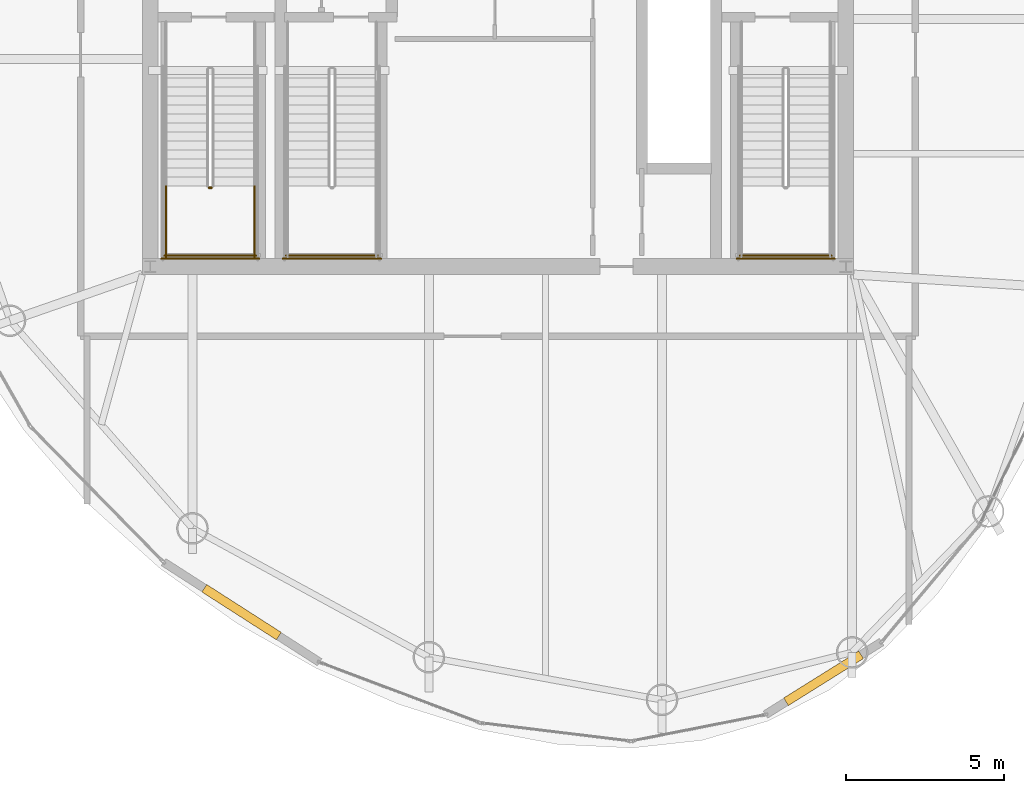
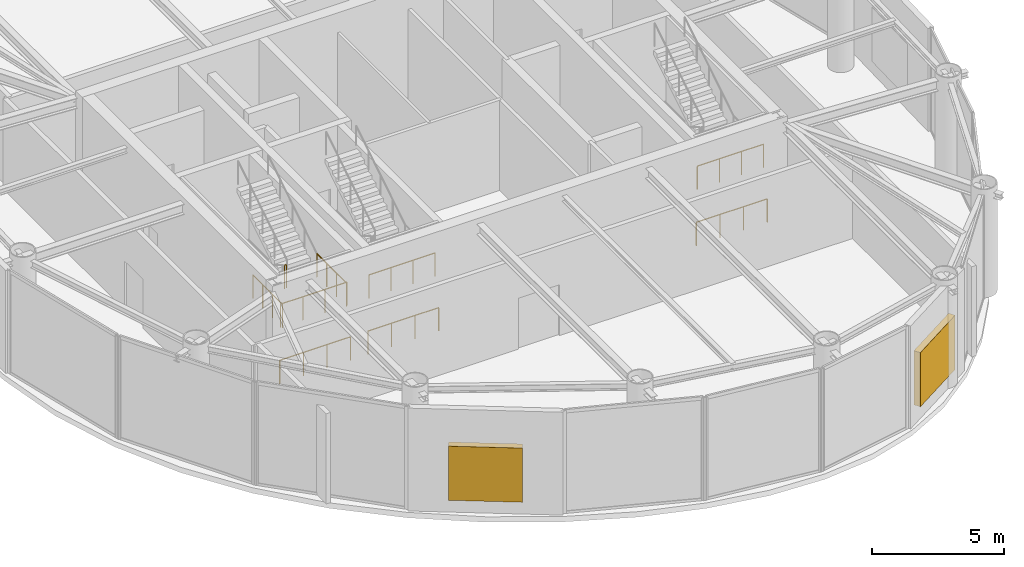
# One storey, part 20 of 23: 9 railings, 2 shading devices.
"""IFC4 building model written with IfcOpenShell, lengths in metres."""

from ifc_helpers import new_model, si_unit, direction, frame, origin, origin_2d, place, context, subcontext, project, spatial, rectangle, circle, extrude, material, type_object, element, save


model = new_model("IFC4")

# Units and contexts
model_context = context("Model", 3, precision=1e-05, world=origin(), true_north=direction((0.0, 1.0)))
body_context = subcontext(model_context, "Body", "Model", "MODEL_VIEW")
ifc_project = project(units=[si_unit("LENGTHUNIT", "METRE"), si_unit("AREAUNIT", "SQUARE_METRE"), si_unit("VOLUMEUNIT", "CUBIC_METRE"), si_unit("PLANEANGLEUNIT", "RADIAN"), si_unit("MASSUNIT", "GRAM", prefix="KILO")], contexts=[model_context])

# Site, building, storey
site_placement = place(None, origin())
site = spatial("IfcSite", under=ifc_project, at=site_placement, CompositionType="ELEMENT")
building_placement = place(site_placement, origin())
building = spatial("IfcBuilding", under=site, at=building_placement, Name="Bramvorn Convention Spire", CompositionType="ELEMENT")
storey_placement = place(building_placement, frame((0.0, 0.0, 307.5)))
storey = spatial("IfcBuildingStorey", under=building, at=storey_placement, Name="L78", CompositionType="ELEMENT", Elevation=307.5)

# Railings
ifc_material_1 = material(Name="Painted Steel Balustrade & Guardrail", Category="steel")
railing_type = type_object("IfcRailingType", Name="RL-STAIR-GUARD-1100", PredefinedType="GUARDRAIL", material=ifc_material_1)
railing_1_placement = place(storey_placement, frame((28.860107421875, 21.294921875, 2.5)))
element("IfcRailing", 1, at=railing_1_placement, inside=storey, type_object=railing_type, Name="L78 ST1 stair guard 2", PredefinedType="GUARDRAIL", context=body_context, shape_type="SweptSolid", body=[
    extrude(circle(Radius=0.02392578125, at=origin_2d()), frame((0.0, 0.0, 1.076171875), z_axis=(1.0, 0.0, 0.0), x_axis=(0.0, 1.0, 0.0)), (0.0, 0.0, 1.0), 0.079833984375),
    extrude(circle(Radius=0.02099609375, at=origin_2d()), origin(), (0.0, 0.0, 1.0), 1.052001953125),
    extrude(circle(Radius=0.02099609375, at=origin_2d()), frame((0.079833984375, 0.0, 0.0)), (0.0, 0.0, 1.0), 1.052001953125),
])
for number, where, name in (
    (2, (27.5, 21.344970703125, 2.5), "L78 ST1 stair guard 3"),
    (3, (30.300048828125, 21.344970703125, 2.5), "L78 ST1 stair guard 4"),
):
    element("IfcRailing", number, at=place(storey_placement, frame(where)), inside=storey, type_object=railing_type, Name=name, PredefinedType="GUARDRAIL", context=body_context, shape_type="SweptSolid", body=[
        extrude(circle(Radius=0.02392578125, at=origin_2d()), frame((0.0, 0.0, 1.076171875), z_axis=(0.0, -1.0, 0.0), x_axis=(1.0, 0.0, 0.0)), (0.0, 0.0, 1.0), 2.244873046875),
        extrude(circle(Radius=0.02099609375, at=origin_2d()), origin(), (0.0, 0.0, 1.0), 1.052001953125),
        extrude(circle(Radius=0.02099609375, at=origin_2d()), frame((0.0, -0.748291015625, 0.0)), (0.0, 0.0, 1.0), 1.052001953125),
        extrude(circle(Radius=0.02099609375, at=origin_2d()), frame((0.0, -1.49658203125, 0.0)), (0.0, 0.0, 1.0), 1.052001953125),
        extrude(circle(Radius=0.02099609375, at=origin_2d()), frame((0.0, -2.244873046875, 0.0)), (0.0, 0.0, 1.0), 1.052001953125),
    ])
railing_2_placement = place(storey_placement, frame((27.449951171875, 19.14990234375, 2.5)))
element("IfcRailing", 4, at=railing_2_placement, inside=storey, type_object=railing_type, Name="L78 ST1 stair guard 5", PredefinedType="GUARDRAIL", context=body_context, shape_type="SweptSolid", body=[
    extrude(circle(Radius=0.02392578125, at=origin_2d()), frame((0.0, 0.0, 1.076171875), z_axis=(1.0, 0.0, 0.0), x_axis=(0.0, 1.0, 0.0)), (0.0, 0.0, 1.0), 2.900146484375),
    extrude(circle(Radius=0.02099609375, at=origin_2d()), origin(), (0.0, 0.0, 1.0), 1.052001953125),
    extrude(circle(Radius=0.02099609375, at=origin_2d()), frame((0.966796875, 0.0, 0.0)), (0.0, 0.0, 1.0), 1.052001953125),
    extrude(circle(Radius=0.02099609375, at=origin_2d()), frame((1.933349609375, 0.0, 0.0)), (0.0, 0.0, 1.0), 1.052001953125),
    extrude(circle(Radius=0.02099609375, at=origin_2d()), frame((2.900146484375, 0.0, 0.0)), (0.0, 0.0, 1.0), 1.052001953125),
])
railing_3_placement = place(storey_placement, frame((27.35009765625, 19.050048828125, 0.0)))
element("IfcRailing", 5, at=railing_3_placement, inside=storey, type_object=railing_type, Name="L78 ST1 stair guard 12", PredefinedType="GUARDRAIL", context=body_context, shape_type="SweptSolid", body=[
    extrude(circle(Radius=0.02392578125, at=origin_2d()), frame((0.0, 0.0, 1.076171875), z_axis=(1.0, 0.0, 0.0), x_axis=(0.0, 1.0, 0.0)), (0.0, 0.0, 1.0), 3.099853515625),
    extrude(circle(Radius=0.02099609375, at=origin_2d()), origin(), (0.0, 0.0, 1.0), 1.052001953125),
    extrude(circle(Radius=0.02099609375, at=origin_2d()), frame((1.033203125, 0.0, 0.0)), (0.0, 0.0, 1.0), 1.052001953125),
    extrude(circle(Radius=0.02099609375, at=origin_2d()), frame((2.066650390625, 0.0, 0.0)), (0.0, 0.0, 1.0), 1.052001953125),
    extrude(circle(Radius=0.02099609375, at=origin_2d()), frame((3.099853515625, 0.0, 0.0)), (0.0, 0.0, 1.0), 1.052001953125),
])
railing_4_placement = place(storey_placement, frame((45.64990234375, 19.14990234375, 2.5)))
element("IfcRailing", 6, at=railing_4_placement, inside=storey, type_object=railing_type, Name="L78 ST2 stair guard 5", PredefinedType="GUARDRAIL", context=body_context, shape_type="SweptSolid", body=[
    extrude(circle(Radius=0.02392578125, at=origin_2d()), frame((0.0, 0.0, 1.076171875), z_axis=(1.0, 0.0, 0.0), x_axis=(0.0, 1.0, 0.0)), (0.0, 0.0, 1.0), 2.900146484375),
    extrude(circle(Radius=0.02099609375, at=origin_2d()), origin(), (0.0, 0.0, 1.0), 1.052001953125),
    extrude(circle(Radius=0.02099609375, at=origin_2d()), frame((0.966796875, 0.0, 0.0)), (0.0, 0.0, 1.0), 1.052001953125),
    extrude(circle(Radius=0.02099609375, at=origin_2d()), frame((1.933349609375, 0.0, 0.0)), (0.0, 0.0, 1.0), 1.052001953125),
    extrude(circle(Radius=0.02099609375, at=origin_2d()), frame((2.900146484375, 0.0, 0.0)), (0.0, 0.0, 1.0), 1.052001953125),
])
railing_5_placement = place(storey_placement, frame((45.550048828125, 19.050048828125, 0.0)))
element("IfcRailing", 7, at=railing_5_placement, inside=storey, type_object=railing_type, Name="L78 ST2 stair guard 12", PredefinedType="GUARDRAIL", context=body_context, shape_type="SweptSolid", body=[
    extrude(circle(Radius=0.02392578125, at=origin_2d()), frame((0.0, 0.0, 1.076171875), z_axis=(1.0, 0.0, 0.0), x_axis=(0.0, 1.0, 0.0)), (0.0, 0.0, 1.0), 3.099853515625),
    extrude(circle(Radius=0.02099609375, at=origin_2d()), origin(), (0.0, 0.0, 1.0), 1.052001953125),
    extrude(circle(Radius=0.02099609375, at=origin_2d()), frame((1.033203125, 0.0, 0.0)), (0.0, 0.0, 1.0), 1.052001953125),
    extrude(circle(Radius=0.02099609375, at=origin_2d()), frame((2.066650390625, 0.0, 0.0)), (0.0, 0.0, 1.0), 1.052001953125),
    extrude(circle(Radius=0.02099609375, at=origin_2d()), frame((3.099853515625, 0.0, 0.0)), (0.0, 0.0, 1.0), 1.052001953125),
])
railing_6_placement = place(storey_placement, frame((31.300048828125, 19.14990234375, 2.5)))
element("IfcRailing", 8, at=railing_6_placement, inside=storey, type_object=railing_type, Name="L78 ST3 stair guard 5", PredefinedType="GUARDRAIL", context=body_context, shape_type="SweptSolid", body=[
    extrude(circle(Radius=0.02392578125, at=origin_2d()), frame((0.0, 0.0, 1.076171875), z_axis=(1.0, 0.0, 0.0), x_axis=(0.0, 1.0, 0.0)), (0.0, 0.0, 1.0), 2.89990234375),
    extrude(circle(Radius=0.02099609375, at=origin_2d()), origin(), (0.0, 0.0, 1.0), 1.052001953125),
    extrude(circle(Radius=0.02099609375, at=origin_2d()), frame((0.966552734375, 0.0, 0.0)), (0.0, 0.0, 1.0), 1.052001953125),
    extrude(circle(Radius=0.02099609375, at=origin_2d()), frame((1.933349609375, 0.0, 0.0)), (0.0, 0.0, 1.0), 1.052001953125),
    extrude(circle(Radius=0.02099609375, at=origin_2d()), frame((2.89990234375, 0.0, 0.0)), (0.0, 0.0, 1.0), 1.052001953125),
])
railing_7_placement = place(storey_placement, frame((31.199951171875, 19.050048828125, 0.0)))
element("IfcRailing", 9, at=railing_7_placement, inside=storey, type_object=railing_type, Name="L78 ST3 stair guard 12", PredefinedType="GUARDRAIL", context=body_context, shape_type="SweptSolid", body=[
    extrude(circle(Radius=0.02392578125, at=origin_2d()), frame((0.0, 0.0, 1.076171875), z_axis=(1.0, 0.0, 0.0), x_axis=(0.0, 1.0, 0.0)), (0.0, 0.0, 1.0), 3.10009765625),
    extrude(circle(Radius=0.02099609375, at=origin_2d()), origin(), (0.0, 0.0, 1.0), 1.052001953125),
    extrude(circle(Radius=0.02099609375, at=origin_2d()), frame((1.033447265625, 0.0, 0.0)), (0.0, 0.0, 1.0), 1.052001953125),
    extrude(circle(Radius=0.02099609375, at=origin_2d()), frame((2.066650390625, 0.0, 0.0)), (0.0, 0.0, 1.0), 1.052001953125),
    extrude(circle(Radius=0.02099609375, at=origin_2d()), frame((3.10009765625, 0.0, 0.0)), (0.0, 0.0, 1.0), 1.052001953125),
])

# Shading devices
ifc_material_2 = material(Name="Acoustic Storm-Proof Anodised Bronze Aluminium Louvre", Category="aluminium")
shading_device_type = type_object("IfcShadingDeviceType", Name="SHD-LOUVRE-PLANT", PredefinedType="JALOUSIE", material=ifc_material_2)
for number, where, z_axis, x_axis, name in (
    (10, (48.29541015625, 5.78173828125, 0.550048828125), (0.0, 0.0, 1.0), (-0.847878925942, -0.530189897058, 0.0), "L78 plant intake/exhaust acoustic louvre 01"),
    (11, (29.89111328125, 7.872314453125, 0.550048828125), (0.0, 0.0, 1.0), (-0.8416769665, 0.539981373811, 0.0), "L78 plant intake/exhaust acoustic louvre 21"),
):
    element("IfcShadingDevice", number, at=place(storey_placement, frame(where, z_axis=z_axis, x_axis=x_axis)), inside=storey, type_object=shading_device_type, Name=name, PredefinedType="JALOUSIE", context=body_context, shape_type="SweptSolid", body=[
        extrude(rectangle(XDim=2.800048828125, YDim=0.280029296875, at=origin_2d()), origin(), (0.0, 0.0, 1.0), 2.5),
    ])

save(model, "model.ifc")
